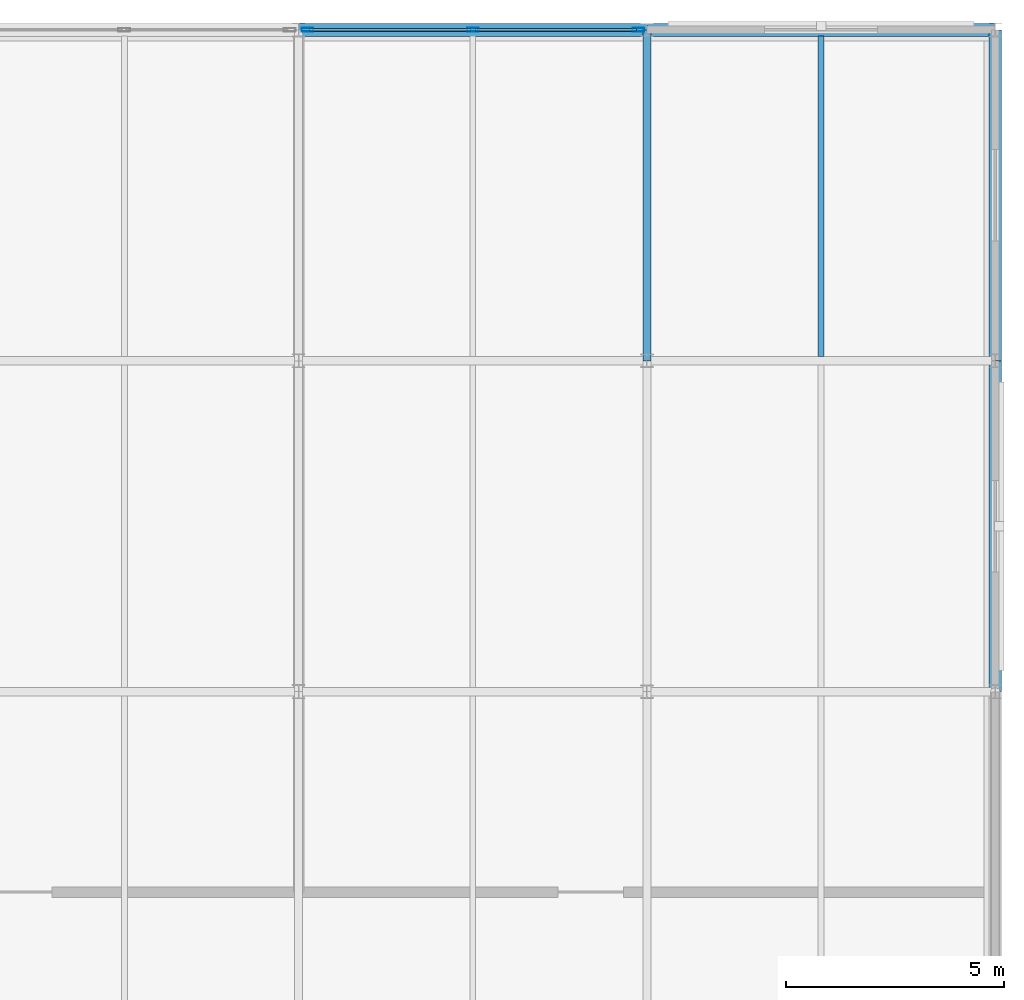
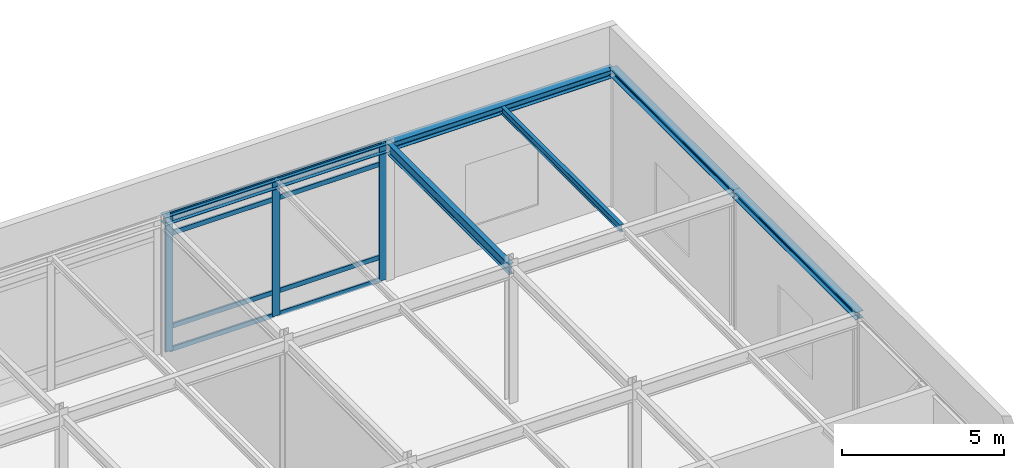
# One storey, part 7 of 12: 11 members, 6 beams, 1 element without a shape of its own.
"""IFC4 building model written with IfcOpenShell, lengths in metres."""

from ifc_helpers import new_model, si_unit, direction, frame, origin, origin_2d, place, context, subcontext, project, spatial, hollow_rectangle, i_section, extrude, material, layer, layer_set, material_profile, profile_set, type_object, element, aggregate, save


model = new_model("IFC4")

# Units and contexts
model_context = context("Model", 3, precision=1e-05, world=origin(), true_north=direction((0.0, 1.0)))
body_context = subcontext(model_context, "Body", "Model", "MODEL_VIEW")
ifc_project = project(units=[si_unit("LENGTHUNIT", "METRE"), si_unit("AREAUNIT", "SQUARE_METRE"), si_unit("VOLUMEUNIT", "CUBIC_METRE"), si_unit("PLANEANGLEUNIT", "RADIAN"), si_unit("MASSUNIT", "GRAM", prefix="KILO")], contexts=[model_context])

# Site, building, storey
site_placement = place(None, origin())
site = spatial("IfcSite", under=ifc_project, at=site_placement, CompositionType="ELEMENT")
building_placement = place(site_placement, origin())
building = spatial("IfcBuilding", under=site, at=building_placement, Name="Shalkamar Park Central Library", CompositionType="ELEMENT")
storey_placement = place(building_placement, frame((0.0, 0.0, 72.300048828125)))
storey = spatial("IfcBuildingStorey", under=building, at=storey_placement, Name="L18", CompositionType="ELEMENT", Elevation=72.300048828125)

# Beam
ifc_material_1 = material(Name="Steel S355", Category="steel")
ifc_material_profile_1 = material_profile(ifc_material_1, i_section(OverallWidth=0.135009765625, OverallDepth=0.27001953125, WebThickness=0.006591796875, FlangeThickness=0.01025390625, FilletRadius=0.014892578125, at=origin_2d()), Name="IPE 270")
ifc_profile_set_1 = profile_set([ifc_material_profile_1], Name="Steel S355")
beam_type_1 = type_object("IfcBeamType", Name="Composite Floor Joist IPE270", PredefinedType="JOIST", material=ifc_profile_set_1)
beam_1_placement = place(storey_placement, frame((209.0, 270.498046875, 5.014892578125), z_axis=(0.0, 1.0, 0.0), x_axis=(-1.0, 0.0, 0.0)))
element("IfcBeam", 1, at=beam_1_placement, inside=storey, type_object=beam_type_1, Name="Composite Joist 12/E-1 (L18)", PredefinedType="JOIST", context=body_context, shape_type="SweptSolid", body=[
    extrude(i_section(OverallWidth=0.135009765625, OverallDepth=0.27001953125, WebThickness=0.006591796875, FlangeThickness=0.01025390625, FilletRadius=0.014892578125, at=origin_2d()), origin(), (0.0, 0.0, 1.0), 7.35400390625),
])

# Curtain wall, members
ifc_material_2 = material(Name="Thermally broken aluminium and triple low-e curtain wall", Category="aluminium")
ifc_layer = layer(ifc_material_2, 0.264892578125)
ifc_layer_set = layer_set([ifc_layer], Name="UnitisedCurtainWall_114")
curtain_wall_type = type_object("IfcCurtainWallType", Name="Unitised Curtain Wall 114", PredefinedType="USERDEFINED", material=ifc_layer_set)
curtain_wall_placement = place(storey_placement, origin())
curtain_wall = element("IfcCurtainWall", 2, at=curtain_wall_placement, inside=storey, type_object=curtain_wall_type, Name="Unitised Curtain Wall CW-L18-171", ObjectType="UNITISED CURTAIN WALL", PredefinedType="USERDEFINED")
ifc_material_3 = material(Name="Aluminium 6060-T66", Category="aluminium")
ifc_material_profile_2 = material_profile(ifc_material_3, hollow_rectangle(XDim=0.0849609375, YDim=0.264892578125, WallThickness=0.0048828125, InnerFilletRadius=0.0048828125, OuterFilletRadius=0.007568359375, at=origin_2d()), Name="ALU 85x265x5")
ifc_profile_set_2 = profile_set([ifc_material_profile_2], Name="Aluminium 6060-T66")
member_type_1 = type_object("IfcMemberType", Name="Curtain Wall Mullion ALU85x265", PredefinedType="MULLION", material=ifc_profile_set_2)
member_1_placement = place(storey_placement, frame((197.20654296875, 278.0, 0.0), z_axis=(0.0, 0.0, 1.0), x_axis=(0.0, 1.0, 0.0)))
member_1 = element("IfcMember", 3, at=member_1_placement, type_object=member_type_1, Name="CW-114 mullion 1", PredefinedType="MULLION", context=body_context, shape_type="SweptSolid", body=[
    extrude(hollow_rectangle(XDim=0.0849609375, YDim=0.264892578125, WallThickness=0.0048828125, InnerFilletRadius=0.0048828125, OuterFilletRadius=0.007568359375, at=origin_2d()), origin(), (0.0, 0.0, 1.0), 5.14990234375),
])
member_2_placement = place(storey_placement, frame((201.0048828125, 278.0, 0.0), z_axis=(0.0, 0.0, 1.0), x_axis=(0.0, 1.0, 0.0)))
member_2 = element("IfcMember", 4, at=member_2_placement, type_object=member_type_1, Name="CW-114 mullion 2", PredefinedType="MULLION", context=body_context, shape_type="SweptSolid", body=[
    extrude(hollow_rectangle(XDim=0.0849609375, YDim=0.264892578125, WallThickness=0.0048828125, InnerFilletRadius=0.0048828125, OuterFilletRadius=0.007568359375, at=origin_2d()), origin(), (0.0, 0.0, 1.0), 5.14990234375),
])
member_3_placement = place(storey_placement, frame((204.803466796875, 278.0, 0.0), z_axis=(0.0, 0.0, 1.0), x_axis=(0.0, 1.0, 0.0)))
member_3 = element("IfcMember", 5, at=member_3_placement, type_object=member_type_1, Name="CW-114 mullion 3", PredefinedType="MULLION", context=body_context, shape_type="SweptSolid", body=[
    extrude(hollow_rectangle(XDim=0.0849609375, YDim=0.264892578125, WallThickness=0.0048828125, InnerFilletRadius=0.0048828125, OuterFilletRadius=0.007568359375, at=origin_2d()), origin(), (0.0, 0.0, 1.0), 5.14990234375),
])
ifc_material_profile_3 = material_profile(ifc_material_3, hollow_rectangle(XDim=0.070068359375, YDim=0.179931640625, WallThickness=0.00439453125, InnerFilletRadius=0.00439453125, OuterFilletRadius=0.0068359375, at=origin_2d()), Name="ALU 70x180x4.5")
ifc_profile_set_3 = profile_set([ifc_material_profile_3], Name="Aluminium 6060-T66")
member_type_2 = type_object("IfcMemberType", Name="Curtain Wall Transom ALU70x180", PredefinedType="USERDEFINED", material=ifc_profile_set_3)
member_4_placement = place(storey_placement, frame((197.2490234375, 278.0, 0.034912109375), z_axis=(1.0, 0.0, 0.0), x_axis=(0.0, 1.0, 0.0)))
member_4 = element("IfcMember", 6, at=member_4_placement, type_object=member_type_2, Name="CW-114 transom 1.1", ObjectType="TRANSOM", PredefinedType="USERDEFINED", context=body_context, shape_type="SweptSolid", body=[
    extrude(hollow_rectangle(XDim=0.070068359375, YDim=0.179931640625, WallThickness=0.00439453125, InnerFilletRadius=0.00439453125, OuterFilletRadius=0.0068359375, at=origin_2d()), origin(), (0.0, 0.0, 1.0), 3.71337890625),
])
member_5_placement = place(storey_placement, frame((197.2490234375, 278.0, 0.89990234375), z_axis=(1.0, 0.0, 0.0), x_axis=(0.0, 1.0, 0.0)))
member_5 = element("IfcMember", 7, at=member_5_placement, type_object=member_type_2, Name="CW-114 transom 1.2", ObjectType="TRANSOM", PredefinedType="USERDEFINED", context=body_context, shape_type="SweptSolid", body=[
    extrude(hollow_rectangle(XDim=0.070068359375, YDim=0.179931640625, WallThickness=0.00439453125, InnerFilletRadius=0.00439453125, OuterFilletRadius=0.0068359375, at=origin_2d()), origin(), (0.0, 0.0, 1.0), 3.71337890625),
])
member_6_placement = place(storey_placement, frame((197.2490234375, 278.0, 4.39990234375), z_axis=(1.0, 0.0, 0.0), x_axis=(0.0, 1.0, 0.0)))
member_6 = element("IfcMember", 8, at=member_6_placement, type_object=member_type_2, Name="CW-114 transom 1.3", ObjectType="TRANSOM", PredefinedType="USERDEFINED", context=body_context, shape_type="SweptSolid", body=[
    extrude(hollow_rectangle(XDim=0.070068359375, YDim=0.179931640625, WallThickness=0.00439453125, InnerFilletRadius=0.00439453125, OuterFilletRadius=0.0068359375, at=origin_2d()), origin(), (0.0, 0.0, 1.0), 3.71337890625),
])
member_7_placement = place(storey_placement, frame((197.2490234375, 278.0, 5.114990234375), z_axis=(1.0, 0.0, 0.0), x_axis=(0.0, 1.0, 0.0)))
member_7 = element("IfcMember", 9, at=member_7_placement, type_object=member_type_2, Name="CW-114 transom 1.4", ObjectType="TRANSOM", PredefinedType="USERDEFINED", context=body_context, shape_type="SweptSolid", body=[
    extrude(hollow_rectangle(XDim=0.070068359375, YDim=0.179931640625, WallThickness=0.00439453125, InnerFilletRadius=0.00439453125, OuterFilletRadius=0.0068359375, at=origin_2d()), origin(), (0.0, 0.0, 1.0), 3.71337890625),
])
member_8_placement = place(storey_placement, frame((201.047607421875, 278.0, 0.034912109375), z_axis=(1.0, 0.0, 0.0), x_axis=(0.0, 1.0, 0.0)))
member_8 = element("IfcMember", 10, at=member_8_placement, type_object=member_type_2, Name="CW-114 transom 2.1", ObjectType="TRANSOM", PredefinedType="USERDEFINED", context=body_context, shape_type="SweptSolid", body=[
    extrude(hollow_rectangle(XDim=0.070068359375, YDim=0.179931640625, WallThickness=0.00439453125, InnerFilletRadius=0.00439453125, OuterFilletRadius=0.0068359375, at=origin_2d()), origin(), (0.0, 0.0, 1.0), 3.71337890625),
])
member_9_placement = place(storey_placement, frame((201.047607421875, 278.0, 0.89990234375), z_axis=(1.0, 0.0, 0.0), x_axis=(0.0, 1.0, 0.0)))
member_9 = element("IfcMember", 11, at=member_9_placement, type_object=member_type_2, Name="CW-114 transom 2.2", ObjectType="TRANSOM", PredefinedType="USERDEFINED", context=body_context, shape_type="SweptSolid", body=[
    extrude(hollow_rectangle(XDim=0.070068359375, YDim=0.179931640625, WallThickness=0.00439453125, InnerFilletRadius=0.00439453125, OuterFilletRadius=0.0068359375, at=origin_2d()), origin(), (0.0, 0.0, 1.0), 3.71337890625),
])
member_10_placement = place(storey_placement, frame((201.047607421875, 278.0, 4.39990234375), z_axis=(1.0, 0.0, 0.0), x_axis=(0.0, 1.0, 0.0)))
member_10 = element("IfcMember", 12, at=member_10_placement, type_object=member_type_2, Name="CW-114 transom 2.3", ObjectType="TRANSOM", PredefinedType="USERDEFINED", context=body_context, shape_type="SweptSolid", body=[
    extrude(hollow_rectangle(XDim=0.070068359375, YDim=0.179931640625, WallThickness=0.00439453125, InnerFilletRadius=0.00439453125, OuterFilletRadius=0.0068359375, at=origin_2d()), origin(), (0.0, 0.0, 1.0), 3.71337890625),
])
member_11_placement = place(storey_placement, frame((201.047607421875, 278.0, 5.114990234375), z_axis=(1.0, 0.0, 0.0), x_axis=(0.0, 1.0, 0.0)))
member_11 = element("IfcMember", 13, at=member_11_placement, type_object=member_type_2, Name="CW-114 transom 2.4", ObjectType="TRANSOM", PredefinedType="USERDEFINED", context=body_context, shape_type="SweptSolid", body=[
    extrude(hollow_rectangle(XDim=0.070068359375, YDim=0.179931640625, WallThickness=0.00439453125, InnerFilletRadius=0.00439453125, OuterFilletRadius=0.0068359375, at=origin_2d()), origin(), (0.0, 0.0, 1.0), 3.71337890625),
])
aggregate(curtain_wall, [member_1, member_2, member_3, member_4, member_5, member_6, member_7, member_8, member_9, member_10, member_11])

# Beams
ifc_material_profile_4 = material_profile(ifc_material_1, i_section(OverallWidth=0.280029296875, OverallDepth=0.27001953125, WebThickness=0.008056640625, FlangeThickness=0.012939453125, FilletRadius=0.02392578125, at=origin_2d()), Name="HEA 280")
ifc_profile_set_4 = profile_set([ifc_material_profile_4], Name="Steel S355")
beam_type_2 = type_object("IfcBeamType", Name="Perimeter Spandrel Beam HEA280", PredefinedType="SPANDREL", material=ifc_profile_set_4)
beam_2_placement = place(storey_placement, frame((213.0, 262.800048828125, 5.014892578125), z_axis=(0.0, 1.0, 0.0), x_axis=(-1.0, 0.0, 0.0)))
element("IfcBeam", 14, at=beam_2_placement, inside=storey, type_object=beam_type_2, Name="Beam 13:D-E (L18)", PredefinedType="SPANDREL", context=body_context, shape_type="SweptSolid", body=[
    extrude(i_section(OverallWidth=0.280029296875, OverallDepth=0.27001953125, WebThickness=0.008056640625, FlangeThickness=0.012939453125, FilletRadius=0.02392578125, at=origin_2d()), origin(), (0.0, 0.0, 1.0), 7.599853515625),
])
beam_3_placement = place(storey_placement, frame((213.0, 270.39990234375, 5.014892578125), z_axis=(0.0, 1.0, 0.0), x_axis=(-1.0, 0.0, 0.0)))
element("IfcBeam", 15, at=beam_3_placement, inside=storey, type_object=beam_type_2, Name="Beam 13:E-F (L18)", PredefinedType="SPANDREL", context=body_context, shape_type="SweptSolid", body=[
    extrude(i_section(OverallWidth=0.280029296875, OverallDepth=0.27001953125, WebThickness=0.008056640625, FlangeThickness=0.012939453125, FilletRadius=0.02392578125, at=origin_2d()), origin(), (0.0, 0.0, 1.0), 7.60009765625),
])
ifc_material_profile_5 = material_profile(ifc_material_1, i_section(OverallWidth=0.300048828125, OverallDepth=0.31005859375, WebThickness=0.009033203125, FlangeThickness=0.015380859375, FilletRadius=0.027099609375, at=origin_2d()), Name="HEA 320")
ifc_profile_set_5 = profile_set([ifc_material_profile_5], Name="Steel S355")
beam_type_3 = type_object("IfcBeamType", Name="Perimeter Spandrel Beam HEA320", PredefinedType="SPANDREL", material=ifc_profile_set_5)
for number, where, z_axis, x_axis, name in (
    (16, (197.0, 278.0, 4.994873046875), (1.0, 0.0, 0.0), (0.0, 1.0, 0.0), "Beam F:11-12 (L18)"),
    (17, (205.0, 278.0, 4.994873046875), (1.0, 0.0, 0.0), (0.0, 1.0, 0.0), "Beam F:12-13 (L18)"),
):
    element("IfcBeam", number, at=place(storey_placement, frame(where, z_axis=z_axis, x_axis=x_axis)), inside=storey, type_object=beam_type_3, Name=name, PredefinedType="SPANDREL", context=body_context, shape_type="SweptSolid", body=[
        extrude(i_section(OverallWidth=0.300048828125, OverallDepth=0.31005859375, WebThickness=0.009033203125, FlangeThickness=0.015380859375, FilletRadius=0.027099609375, at=origin_2d()), origin(), (0.0, 0.0, 1.0), 8.0),
    ])
ifc_material_profile_6 = material_profile(ifc_material_1, i_section(OverallWidth=0.179931640625, OverallDepth=0.39990234375, WebThickness=0.008544921875, FlangeThickness=0.013427734375, FilletRadius=0.02099609375, at=origin_2d()), Name="IPE 400")
ifc_profile_set_6 = profile_set([ifc_material_profile_6], Name="Steel S355")
beam_type_4 = type_object("IfcBeamType", Name="Primary Girder IPE400", PredefinedType="BEAM", material=ifc_profile_set_6)
beam_4_placement = place(storey_placement, frame((205.0, 270.39990234375, 4.949951171875), z_axis=(0.0, 1.0, 0.0), x_axis=(-1.0, 0.0, 0.0)))
element("IfcBeam", 18, at=beam_4_placement, inside=storey, type_object=beam_type_4, Name="Beam 12:E-F (L18)", PredefinedType="BEAM", context=body_context, shape_type="SweptSolid", body=[
    extrude(i_section(OverallWidth=0.179931640625, OverallDepth=0.39990234375, WebThickness=0.008544921875, FlangeThickness=0.013427734375, FilletRadius=0.02099609375, at=origin_2d()), origin(), (0.0, 0.0, 1.0), 7.60009765625),
])

save(model, "model.ifc")
